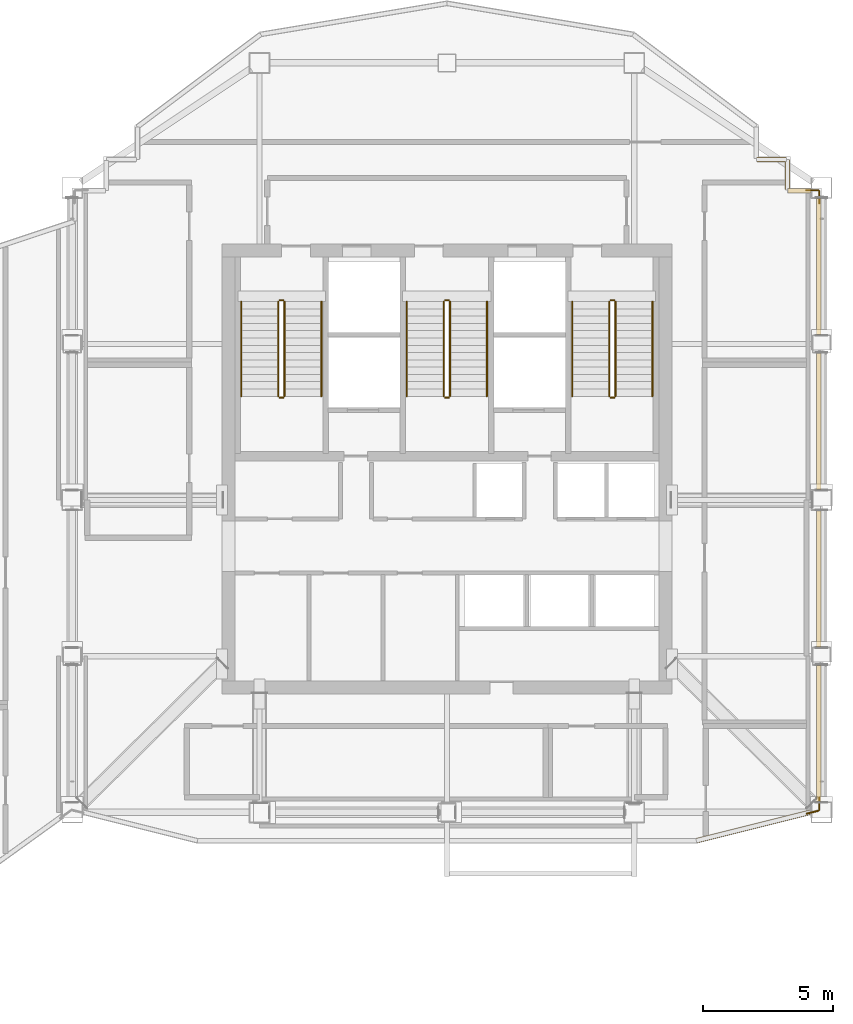
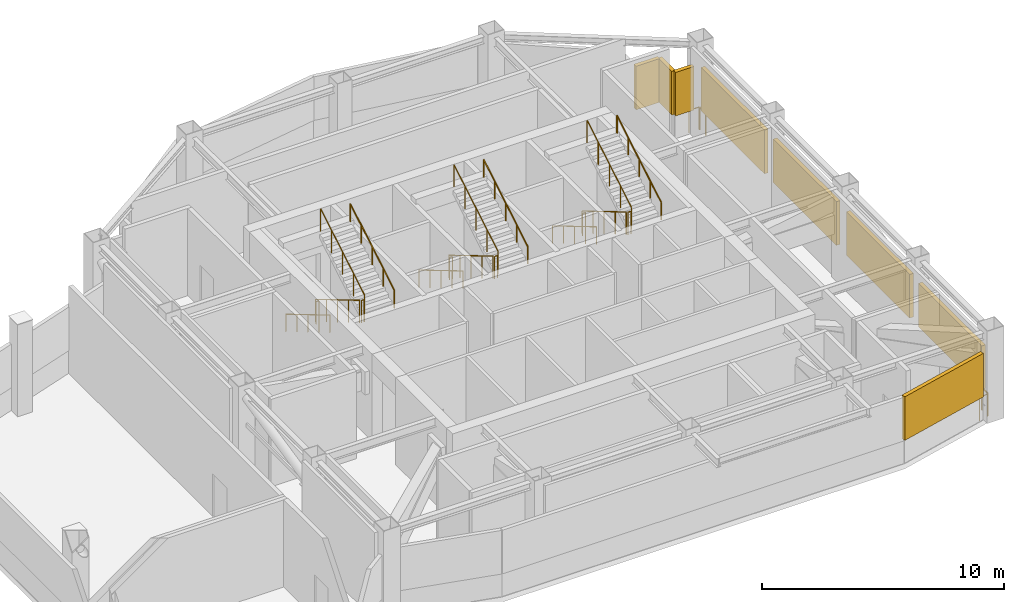
# One storey, part 14 of 15: 22 railings, 8 shading devices.
"""IFC4 building model written with IfcOpenShell, lengths in metres."""

from ifc_helpers import new_model, si_unit, direction, frame, origin, origin_2d, place, context, subcontext, project, spatial, rectangle, circle, extrude, material, type_object, element, save


model = new_model("IFC4")

# Units and contexts
model_context = context("Model", 3, precision=1e-05, world=origin(), true_north=direction((0.0, 1.0)))
body_context = subcontext(model_context, "Body", "Model", "MODEL_VIEW")
ifc_project = project(units=[si_unit("LENGTHUNIT", "METRE"), si_unit("AREAUNIT", "SQUARE_METRE"), si_unit("VOLUMEUNIT", "CUBIC_METRE"), si_unit("PLANEANGLEUNIT", "RADIAN"), si_unit("MASSUNIT", "GRAM", prefix="KILO")], contexts=[model_context])

# Site, building, storey
site_placement = place(None, origin())
site = spatial("IfcSite", under=ifc_project, at=site_placement, CompositionType="ELEMENT")
building_placement = place(site_placement, origin())
building = spatial("IfcBuilding", under=site, at=building_placement, Name="Haolan Belvedere Tower", CompositionType="ELEMENT")
storey_placement = place(building_placement, frame((0.0, 0.0, 277.550048828125)))
storey = spatial("IfcBuildingStorey", under=building, at=storey_placement, Name="L70", CompositionType="ELEMENT", Elevation=277.550048828125)

# Railings
ifc_material_1 = material(Name="Galvanised powder-coated steel guardrail", Category="steel")
railing_type_1 = type_object("IfcRailingType", Name="RL-REF-GRD-1150", PredefinedType="GUARDRAIL", material=ifc_material_1)
railing_1_placement = place(storey_placement, frame((52.7099609375, 22.17041015625, 0.0)))
element("IfcRailing", 1, at=railing_1_placement, inside=storey, type_object=railing_type_1, Name="L70 refuge corner safety guardrail 2A", PredefinedType="GUARDRAIL", context=body_context, shape_type="SweptSolid", body=[
    extrude(circle(Radius=0.02392578125, at=origin_2d()), frame((0.0, 0.0, 1.1259765625), z_axis=(0.0, -1.0, 0.0), x_axis=(1.0, 0.0, 0.0)), (0.0, 0.0, 1.0), 0.47021484375),
    extrude(circle(Radius=0.02099609375, at=origin_2d()), origin(), (0.0, 0.0, 1.0), 1.101806640625),
    extrude(circle(Radius=0.02099609375, at=origin_2d()), frame((0.0, -0.47021484375, 0.0)), (0.0, 0.0, 1.0), 1.101806640625),
])
railing_2_placement = place(storey_placement, frame((52.680908203125, 21.6630859375, 0.0)))
element("IfcRailing", 2, at=railing_2_placement, inside=storey, type_object=railing_type_1, Name="L70 refuge corner safety guardrail 2B", PredefinedType="GUARDRAIL", context=body_context, shape_type="SweptSolid", body=[
    extrude(circle(Radius=0.02392578125, at=origin_2d()), frame((0.0, 0.0, 1.1259765625), z_axis=(-0.970142500145, -0.242535625036, 0.0), x_axis=(0.242535625036, -0.970142500145, 0.0)), (0.0, 0.0, 1.0), 0.469970703125),
    extrude(circle(Radius=0.02099609375, at=origin_2d()), origin(), (0.0, 0.0, 1.0), 1.101806640625),
    extrude(circle(Radius=0.02099609375, at=origin_2d()), frame((-0.4560546875, -0.114013671875, 0.0)), (0.0, 0.0, 1.0), 1.101806640625),
])
railing_3_placement = place(storey_placement, frame((52.2099609375, 45.510009765625, 0.0)))
element("IfcRailing", 3, at=railing_3_placement, inside=storey, type_object=railing_type_1, Name="L70 refuge corner safety guardrail 3A", PredefinedType="GUARDRAIL", context=body_context, shape_type="SweptSolid", body=[
    extrude(circle(Radius=0.02392578125, at=origin_2d()), frame((0.0, 0.0, 1.1259765625), z_axis=(1.0, 0.0, 0.0), x_axis=(0.0, 1.0, 0.0)), (0.0, 0.0, 1.0), 0.469970703125),
    extrude(circle(Radius=0.02099609375, at=origin_2d()), origin(), (0.0, 0.0, 1.0), 1.101806640625),
    extrude(circle(Radius=0.02099609375, at=origin_2d()), frame((0.469970703125, 0.0, 0.0)), (0.0, 0.0, 1.0), 1.101806640625),
])
railing_4_placement = place(storey_placement, frame((52.7099609375, 45.47998046875, 0.0)))
element("IfcRailing", 4, at=railing_4_placement, inside=storey, type_object=railing_type_1, Name="L70 refuge corner safety guardrail 3B", PredefinedType="GUARDRAIL", context=body_context, shape_type="SweptSolid", body=[
    extrude(circle(Radius=0.02392578125, at=origin_2d()), frame((0.0, 0.0, 1.1259765625), z_axis=(0.0, -1.0, 0.0), x_axis=(1.0, 0.0, 0.0)), (0.0, 0.0, 1.0), 0.469970703125),
    extrude(circle(Radius=0.02099609375, at=origin_2d()), origin(), (0.0, 0.0, 1.0), 1.101806640625),
    extrude(circle(Radius=0.02099609375, at=origin_2d()), frame((0.0, -0.469970703125, 0.0)), (0.0, 0.0, 1.0), 1.101806640625),
])
ifc_material_2 = material(Name="Brushed stainless steel 304", Category="steel")
railing_type_2 = type_object("IfcRailingType", Name="RL-STAIR-GRD-1150", PredefinedType="GUARDRAIL", material=ifc_material_2)
railing_5_placement = place(storey_placement, frame((31.919921875, 41.22998046875, 0.166015625)))
element("IfcRailing", 5, at=railing_5_placement, inside=storey, type_object=railing_type_2, Name="L70 ST1 stair guard 1", PredefinedType="GUARDRAIL", context=body_context, shape_type="SweptSolid", body=[
    extrude(circle(Radius=0.02392578125, at=origin_2d()), frame((0.0, 0.0, 1.1259765625), z_axis=(0.0, -0.860088118128, 0.510145497928), x_axis=(1.0, 0.0, 0.0)), (0.0, 0.0, 1.0), 4.23193359375),
    extrude(circle(Radius=0.02099609375, at=origin_2d()), origin(), (0.0, 0.0, 1.0), 1.101806640625),
    extrude(circle(Radius=0.02099609375, at=origin_2d()), frame((0.0, -0.909912109375, 0.539794921875)), (0.0, 0.0, 1.0), 1.101806640625),
    extrude(circle(Radius=0.02099609375, at=origin_2d()), frame((0.0, -1.81982421875, 1.07958984375)), (0.0, 0.0, 1.0), 1.101806640625),
    extrude(circle(Radius=0.02099609375, at=origin_2d()), frame((0.0, -2.72998046875, 1.619140625)), (0.0, 0.0, 1.0), 1.101806640625),
    extrude(circle(Radius=0.02099609375, at=origin_2d()), frame((0.0, -3.639892578125, 2.158935546875)), (0.0, 0.0, 1.0), 1.101806640625),
])
railing_6_placement = place(storey_placement, frame((31.969970703125, 37.5400390625, 2.324951171875)))
element("IfcRailing", 6, at=railing_6_placement, inside=storey, type_object=railing_type_2, Name="L70 ST1 stair guard 2", PredefinedType="GUARDRAIL", context=body_context, shape_type="SweptSolid", body=[
    extrude(circle(Radius=0.02392578125, at=origin_2d()), frame((0.0, 0.0, 1.1259765625), z_axis=(1.0, 0.0, 0.0), x_axis=(0.0, 1.0, 0.0)), (0.0, 0.0, 1.0), 0.14013671875),
    extrude(circle(Radius=0.02099609375, at=origin_2d()), origin(), (0.0, 0.0, 1.0), 1.101806640625),
    extrude(circle(Radius=0.02099609375, at=origin_2d()), frame((0.14013671875, 0.0, 0.0)), (0.0, 0.0, 1.0), 1.101806640625),
])
railing_7_placement = place(storey_placement, frame((32.159912109375, 37.590087890625, 2.490966796875)))
element("IfcRailing", 7, at=railing_7_placement, inside=storey, type_object=railing_type_2, Name="L70 ST1 stair guard 3", PredefinedType="GUARDRAIL", context=body_context, shape_type="SweptSolid", body=[
    extrude(circle(Radius=0.02392578125, at=origin_2d()), frame((0.0, 0.0, 1.1259765625), z_axis=(0.0, 0.860088118128, 0.510145497928), x_axis=(-1.0, 0.0, 0.0)), (0.0, 0.0, 1.0), 4.23193359375),
    extrude(circle(Radius=0.02099609375, at=origin_2d()), origin(), (0.0, 0.0, 1.0), 1.101806640625),
    extrude(circle(Radius=0.02099609375, at=origin_2d()), frame((0.0, 0.909912109375, 0.539794921875)), (0.0, 0.0, 1.0), 1.101806640625),
    extrude(circle(Radius=0.02099609375, at=origin_2d()), frame((0.0, 1.81982421875, 1.07958984375)), (0.0, 0.0, 1.0), 1.101806640625),
    extrude(circle(Radius=0.02099609375, at=origin_2d()), frame((0.0, 2.72998046875, 1.619140625)), (0.0, 0.0, 1.0), 1.101806640625),
    extrude(circle(Radius=0.02099609375, at=origin_2d()), frame((0.0, 3.639892578125, 2.158935546875)), (0.0, 0.0, 1.0), 1.101806640625),
])
railing_8_placement = place(storey_placement, frame((31.969970703125, 41.280029296875, 0.0)))
element("IfcRailing", 8, at=railing_8_placement, inside=storey, type_object=railing_type_2, Name="L70 ST1 stair guard 4", PredefinedType="GUARDRAIL", context=body_context, shape_type="SweptSolid", body=[
    extrude(circle(Radius=0.02392578125, at=origin_2d()), frame((0.0, 0.0, 1.1259765625), z_axis=(1.0, 0.0, 0.0), x_axis=(0.0, 1.0, 0.0)), (0.0, 0.0, 1.0), 0.14013671875),
    extrude(circle(Radius=0.02099609375, at=origin_2d()), origin(), (0.0, 0.0, 1.0), 1.101806640625),
    extrude(circle(Radius=0.02099609375, at=origin_2d()), frame((0.14013671875, 0.0, 0.0)), (0.0, 0.0, 1.0), 1.101806640625),
])
railing_9_placement = place(storey_placement, frame((38.280029296875, 41.22998046875, 0.166015625)))
element("IfcRailing", 9, at=railing_9_placement, inside=storey, type_object=railing_type_2, Name="L70 ST3 stair guard 1", PredefinedType="GUARDRAIL", context=body_context, shape_type="SweptSolid", body=[
    extrude(circle(Radius=0.02392578125, at=origin_2d()), frame((0.0, 0.0, 1.1259765625), z_axis=(0.0, -0.860088118128, 0.510145497928), x_axis=(1.0, 0.0, 0.0)), (0.0, 0.0, 1.0), 4.23193359375),
    extrude(circle(Radius=0.02099609375, at=origin_2d()), origin(), (0.0, 0.0, 1.0), 1.101806640625),
    extrude(circle(Radius=0.02099609375, at=origin_2d()), frame((0.0, -0.909912109375, 0.539794921875)), (0.0, 0.0, 1.0), 1.101806640625),
    extrude(circle(Radius=0.02099609375, at=origin_2d()), frame((0.0, -1.81982421875, 1.07958984375)), (0.0, 0.0, 1.0), 1.101806640625),
    extrude(circle(Radius=0.02099609375, at=origin_2d()), frame((0.0, -2.72998046875, 1.619140625)), (0.0, 0.0, 1.0), 1.101806640625),
    extrude(circle(Radius=0.02099609375, at=origin_2d()), frame((0.0, -3.639892578125, 2.158935546875)), (0.0, 0.0, 1.0), 1.101806640625),
])
railing_10_placement = place(storey_placement, frame((38.330078125, 37.5400390625, 2.324951171875)))
element("IfcRailing", 10, at=railing_10_placement, inside=storey, type_object=railing_type_2, Name="L70 ST3 stair guard 2", PredefinedType="GUARDRAIL", context=body_context, shape_type="SweptSolid", body=[
    extrude(circle(Radius=0.02392578125, at=origin_2d()), frame((0.0, 0.0, 1.1259765625), z_axis=(1.0, 0.0, 0.0), x_axis=(0.0, 1.0, 0.0)), (0.0, 0.0, 1.0), 0.139892578125),
    extrude(circle(Radius=0.02099609375, at=origin_2d()), origin(), (0.0, 0.0, 1.0), 1.101806640625),
    extrude(circle(Radius=0.02099609375, at=origin_2d()), frame((0.139892578125, 0.0, 0.0)), (0.0, 0.0, 1.0), 1.101806640625),
])
railing_11_placement = place(storey_placement, frame((38.52001953125, 37.590087890625, 2.490966796875)))
element("IfcRailing", 11, at=railing_11_placement, inside=storey, type_object=railing_type_2, Name="L70 ST3 stair guard 3", PredefinedType="GUARDRAIL", context=body_context, shape_type="SweptSolid", body=[
    extrude(circle(Radius=0.02392578125, at=origin_2d()), frame((0.0, 0.0, 1.1259765625), z_axis=(0.0, 0.860088118128, 0.510145497928), x_axis=(-1.0, 0.0, 0.0)), (0.0, 0.0, 1.0), 4.23193359375),
    extrude(circle(Radius=0.02099609375, at=origin_2d()), origin(), (0.0, 0.0, 1.0), 1.101806640625),
    extrude(circle(Radius=0.02099609375, at=origin_2d()), frame((0.0, 0.909912109375, 0.539794921875)), (0.0, 0.0, 1.0), 1.101806640625),
    extrude(circle(Radius=0.02099609375, at=origin_2d()), frame((0.0, 1.81982421875, 1.07958984375)), (0.0, 0.0, 1.0), 1.101806640625),
    extrude(circle(Radius=0.02099609375, at=origin_2d()), frame((0.0, 2.72998046875, 1.619140625)), (0.0, 0.0, 1.0), 1.101806640625),
    extrude(circle(Radius=0.02099609375, at=origin_2d()), frame((0.0, 3.639892578125, 2.158935546875)), (0.0, 0.0, 1.0), 1.101806640625),
])
railing_12_placement = place(storey_placement, frame((38.330078125, 41.280029296875, 0.0)))
element("IfcRailing", 12, at=railing_12_placement, inside=storey, type_object=railing_type_2, Name="L70 ST3 stair guard 4", PredefinedType="GUARDRAIL", context=body_context, shape_type="SweptSolid", body=[
    extrude(circle(Radius=0.02392578125, at=origin_2d()), frame((0.0, 0.0, 1.1259765625), z_axis=(1.0, 0.0, 0.0), x_axis=(0.0, 1.0, 0.0)), (0.0, 0.0, 1.0), 0.139892578125),
    extrude(circle(Radius=0.02099609375, at=origin_2d()), origin(), (0.0, 0.0, 1.0), 1.101806640625),
    extrude(circle(Radius=0.02099609375, at=origin_2d()), frame((0.139892578125, 0.0, 0.0)), (0.0, 0.0, 1.0), 1.101806640625),
])
railing_13_placement = place(storey_placement, frame((44.639892578125, 41.22998046875, 0.166015625)))
element("IfcRailing", 13, at=railing_13_placement, inside=storey, type_object=railing_type_2, Name="L70 ST2 stair guard 1", PredefinedType="GUARDRAIL", context=body_context, shape_type="SweptSolid", body=[
    extrude(circle(Radius=0.02392578125, at=origin_2d()), frame((0.0, 0.0, 1.1259765625), z_axis=(0.0, -0.860088118128, 0.510145497928), x_axis=(1.0, 0.0, 0.0)), (0.0, 0.0, 1.0), 4.23193359375),
    extrude(circle(Radius=0.02099609375, at=origin_2d()), origin(), (0.0, 0.0, 1.0), 1.101806640625),
    extrude(circle(Radius=0.02099609375, at=origin_2d()), frame((0.0, -0.909912109375, 0.539794921875)), (0.0, 0.0, 1.0), 1.101806640625),
    extrude(circle(Radius=0.02099609375, at=origin_2d()), frame((0.0, -1.81982421875, 1.07958984375)), (0.0, 0.0, 1.0), 1.101806640625),
    extrude(circle(Radius=0.02099609375, at=origin_2d()), frame((0.0, -2.72998046875, 1.619140625)), (0.0, 0.0, 1.0), 1.101806640625),
    extrude(circle(Radius=0.02099609375, at=origin_2d()), frame((0.0, -3.639892578125, 2.158935546875)), (0.0, 0.0, 1.0), 1.101806640625),
])
railing_14_placement = place(storey_placement, frame((44.68994140625, 37.5400390625, 2.324951171875)))
element("IfcRailing", 14, at=railing_14_placement, inside=storey, type_object=railing_type_2, Name="L70 ST2 stair guard 2", PredefinedType="GUARDRAIL", context=body_context, shape_type="SweptSolid", body=[
    extrude(circle(Radius=0.02392578125, at=origin_2d()), frame((0.0, 0.0, 1.1259765625), z_axis=(1.0, 0.0, 0.0), x_axis=(0.0, 1.0, 0.0)), (0.0, 0.0, 1.0), 0.14013671875),
    extrude(circle(Radius=0.02099609375, at=origin_2d()), origin(), (0.0, 0.0, 1.0), 1.101806640625),
    extrude(circle(Radius=0.02099609375, at=origin_2d()), frame((0.14013671875, 0.0, 0.0)), (0.0, 0.0, 1.0), 1.101806640625),
])
railing_15_placement = place(storey_placement, frame((44.8798828125, 37.590087890625, 2.490966796875)))
element("IfcRailing", 15, at=railing_15_placement, inside=storey, type_object=railing_type_2, Name="L70 ST2 stair guard 3", PredefinedType="GUARDRAIL", context=body_context, shape_type="SweptSolid", body=[
    extrude(circle(Radius=0.02392578125, at=origin_2d()), frame((0.0, 0.0, 1.1259765625), z_axis=(0.0, 0.860088118128, 0.510145497928), x_axis=(-1.0, 0.0, 0.0)), (0.0, 0.0, 1.0), 4.23193359375),
    extrude(circle(Radius=0.02099609375, at=origin_2d()), origin(), (0.0, 0.0, 1.0), 1.101806640625),
    extrude(circle(Radius=0.02099609375, at=origin_2d()), frame((0.0, 0.909912109375, 0.539794921875)), (0.0, 0.0, 1.0), 1.101806640625),
    extrude(circle(Radius=0.02099609375, at=origin_2d()), frame((0.0, 1.81982421875, 1.07958984375)), (0.0, 0.0, 1.0), 1.101806640625),
    extrude(circle(Radius=0.02099609375, at=origin_2d()), frame((0.0, 2.72998046875, 1.619140625)), (0.0, 0.0, 1.0), 1.101806640625),
    extrude(circle(Radius=0.02099609375, at=origin_2d()), frame((0.0, 3.639892578125, 2.158935546875)), (0.0, 0.0, 1.0), 1.101806640625),
])
railing_16_placement = place(storey_placement, frame((44.68994140625, 41.280029296875, 0.0)))
element("IfcRailing", 16, at=railing_16_placement, inside=storey, type_object=railing_type_2, Name="L70 ST2 stair guard 4", PredefinedType="GUARDRAIL", context=body_context, shape_type="SweptSolid", body=[
    extrude(circle(Radius=0.02392578125, at=origin_2d()), frame((0.0, 0.0, 1.1259765625), z_axis=(1.0, 0.0, 0.0), x_axis=(0.0, 1.0, 0.0)), (0.0, 0.0, 1.0), 0.14013671875),
    extrude(circle(Radius=0.02099609375, at=origin_2d()), origin(), (0.0, 0.0, 1.0), 1.101806640625),
    extrude(circle(Radius=0.02099609375, at=origin_2d()), frame((0.14013671875, 0.0, 0.0)), (0.0, 0.0, 1.0), 1.101806640625),
])
railing_type_3 = type_object("IfcRailingType", Name="RL-STAIR-HND-900", PredefinedType="HANDRAIL", material=ifc_material_2)
railing_17_placement = place(storey_placement, frame((30.5, 41.22998046875, 0.166015625)))
element("IfcRailing", 17, at=railing_17_placement, inside=storey, type_object=railing_type_3, Name="L70 ST1 stair handrail 1", PredefinedType="HANDRAIL", context=body_context, shape_type="SweptSolid", body=[
    extrude(circle(Radius=0.02392578125, at=origin_2d()), frame((0.0, 0.0, 0.8759765625), z_axis=(0.0, -0.860088118128, 0.510145497928), x_axis=(1.0, 0.0, 0.0)), (0.0, 0.0, 1.0), 4.23193359375),
    extrude(circle(Radius=0.02099609375, at=origin_2d()), origin(), (0.0, 0.0, 1.0), 0.851806640625),
    extrude(circle(Radius=0.02099609375, at=origin_2d()), frame((0.0, -0.909912109375, 0.539794921875)), (0.0, 0.0, 1.0), 0.851806640625),
    extrude(circle(Radius=0.02099609375, at=origin_2d()), frame((0.0, -1.81982421875, 1.07958984375)), (0.0, 0.0, 1.0), 0.851806640625),
    extrude(circle(Radius=0.02099609375, at=origin_2d()), frame((0.0, -2.72998046875, 1.619140625)), (0.0, 0.0, 1.0), 0.851806640625),
    extrude(circle(Radius=0.02099609375, at=origin_2d()), frame((0.0, -3.639892578125, 2.158935546875)), (0.0, 0.0, 1.0), 0.851806640625),
])
railing_18_placement = place(storey_placement, frame((33.580078125, 37.590087890625, 2.490966796875)))
element("IfcRailing", 18, at=railing_18_placement, inside=storey, type_object=railing_type_3, Name="L70 ST1 stair handrail 2", PredefinedType="HANDRAIL", context=body_context, shape_type="SweptSolid", body=[
    extrude(circle(Radius=0.02392578125, at=origin_2d()), frame((0.0, 0.0, 0.8759765625), z_axis=(0.0, 0.860088118128, 0.510145497928), x_axis=(-1.0, 0.0, 0.0)), (0.0, 0.0, 1.0), 4.23193359375),
    extrude(circle(Radius=0.02099609375, at=origin_2d()), origin(), (0.0, 0.0, 1.0), 0.851806640625),
    extrude(circle(Radius=0.02099609375, at=origin_2d()), frame((0.0, 0.909912109375, 0.539794921875)), (0.0, 0.0, 1.0), 0.851806640625),
    extrude(circle(Radius=0.02099609375, at=origin_2d()), frame((0.0, 1.81982421875, 1.07958984375)), (0.0, 0.0, 1.0), 0.851806640625),
    extrude(circle(Radius=0.02099609375, at=origin_2d()), frame((0.0, 2.72998046875, 1.619140625)), (0.0, 0.0, 1.0), 0.851806640625),
    extrude(circle(Radius=0.02099609375, at=origin_2d()), frame((0.0, 3.639892578125, 2.158935546875)), (0.0, 0.0, 1.0), 0.851806640625),
])
railing_19_placement = place(storey_placement, frame((36.860107421875, 41.22998046875, 0.166015625)))
element("IfcRailing", 19, at=railing_19_placement, inside=storey, type_object=railing_type_3, Name="L70 ST3 stair handrail 1", PredefinedType="HANDRAIL", context=body_context, shape_type="SweptSolid", body=[
    extrude(circle(Radius=0.02392578125, at=origin_2d()), frame((0.0, 0.0, 0.8759765625), z_axis=(0.0, -0.860088118128, 0.510145497928), x_axis=(1.0, 0.0, 0.0)), (0.0, 0.0, 1.0), 4.23193359375),
    extrude(circle(Radius=0.02099609375, at=origin_2d()), origin(), (0.0, 0.0, 1.0), 0.851806640625),
    extrude(circle(Radius=0.02099609375, at=origin_2d()), frame((0.0, -0.909912109375, 0.539794921875)), (0.0, 0.0, 1.0), 0.851806640625),
    extrude(circle(Radius=0.02099609375, at=origin_2d()), frame((0.0, -1.81982421875, 1.07958984375)), (0.0, 0.0, 1.0), 0.851806640625),
    extrude(circle(Radius=0.02099609375, at=origin_2d()), frame((0.0, -2.72998046875, 1.619140625)), (0.0, 0.0, 1.0), 0.851806640625),
    extrude(circle(Radius=0.02099609375, at=origin_2d()), frame((0.0, -3.639892578125, 2.158935546875)), (0.0, 0.0, 1.0), 0.851806640625),
])
railing_20_placement = place(storey_placement, frame((39.93994140625, 37.590087890625, 2.490966796875)))
element("IfcRailing", 20, at=railing_20_placement, inside=storey, type_object=railing_type_3, Name="L70 ST3 stair handrail 2", PredefinedType="HANDRAIL", context=body_context, shape_type="SweptSolid", body=[
    extrude(circle(Radius=0.02392578125, at=origin_2d()), frame((0.0, 0.0, 0.8759765625), z_axis=(0.0, 0.860088118128, 0.510145497928), x_axis=(-1.0, 0.0, 0.0)), (0.0, 0.0, 1.0), 4.23193359375),
    extrude(circle(Radius=0.02099609375, at=origin_2d()), origin(), (0.0, 0.0, 1.0), 0.851806640625),
    extrude(circle(Radius=0.02099609375, at=origin_2d()), frame((0.0, 0.909912109375, 0.539794921875)), (0.0, 0.0, 1.0), 0.851806640625),
    extrude(circle(Radius=0.02099609375, at=origin_2d()), frame((0.0, 1.81982421875, 1.07958984375)), (0.0, 0.0, 1.0), 0.851806640625),
    extrude(circle(Radius=0.02099609375, at=origin_2d()), frame((0.0, 2.72998046875, 1.619140625)), (0.0, 0.0, 1.0), 0.851806640625),
    extrude(circle(Radius=0.02099609375, at=origin_2d()), frame((0.0, 3.639892578125, 2.158935546875)), (0.0, 0.0, 1.0), 0.851806640625),
])
railing_21_placement = place(storey_placement, frame((43.219970703125, 41.22998046875, 0.166015625)))
element("IfcRailing", 21, at=railing_21_placement, inside=storey, type_object=railing_type_3, Name="L70 ST2 stair handrail 1", PredefinedType="HANDRAIL", context=body_context, shape_type="SweptSolid", body=[
    extrude(circle(Radius=0.02392578125, at=origin_2d()), frame((0.0, 0.0, 0.8759765625), z_axis=(0.0, -0.860088118128, 0.510145497928), x_axis=(1.0, 0.0, 0.0)), (0.0, 0.0, 1.0), 4.23193359375),
    extrude(circle(Radius=0.02099609375, at=origin_2d()), origin(), (0.0, 0.0, 1.0), 0.851806640625),
    extrude(circle(Radius=0.02099609375, at=origin_2d()), frame((0.0, -0.909912109375, 0.539794921875)), (0.0, 0.0, 1.0), 0.851806640625),
    extrude(circle(Radius=0.02099609375, at=origin_2d()), frame((0.0, -1.81982421875, 1.07958984375)), (0.0, 0.0, 1.0), 0.851806640625),
    extrude(circle(Radius=0.02099609375, at=origin_2d()), frame((0.0, -2.72998046875, 1.619140625)), (0.0, 0.0, 1.0), 0.851806640625),
    extrude(circle(Radius=0.02099609375, at=origin_2d()), frame((0.0, -3.639892578125, 2.158935546875)), (0.0, 0.0, 1.0), 0.851806640625),
])
railing_22_placement = place(storey_placement, frame((46.300048828125, 37.590087890625, 2.490966796875)))
element("IfcRailing", 22, at=railing_22_placement, inside=storey, type_object=railing_type_3, Name="L70 ST2 stair handrail 2", PredefinedType="HANDRAIL", context=body_context, shape_type="SweptSolid", body=[
    extrude(circle(Radius=0.02392578125, at=origin_2d()), frame((0.0, 0.0, 0.8759765625), z_axis=(0.0, 0.860088118128, 0.510145497928), x_axis=(-1.0, 0.0, 0.0)), (0.0, 0.0, 1.0), 4.23193359375),
    extrude(circle(Radius=0.02099609375, at=origin_2d()), origin(), (0.0, 0.0, 1.0), 0.851806640625),
    extrude(circle(Radius=0.02099609375, at=origin_2d()), frame((0.0, 0.909912109375, 0.539794921875)), (0.0, 0.0, 1.0), 0.851806640625),
    extrude(circle(Radius=0.02099609375, at=origin_2d()), frame((0.0, 1.81982421875, 1.07958984375)), (0.0, 0.0, 1.0), 0.851806640625),
    extrude(circle(Radius=0.02099609375, at=origin_2d()), frame((0.0, 2.72998046875, 1.619140625)), (0.0, 0.0, 1.0), 0.851806640625),
    extrude(circle(Radius=0.02099609375, at=origin_2d()), frame((0.0, 3.639892578125, 2.158935546875)), (0.0, 0.0, 1.0), 0.851806640625),
])

# Shading devices
ifc_material_3 = material(Name="Anodised champagne-silver aluminium 6063-T6", Category="aluminium")
shading_device_type = type_object("IfcShadingDeviceType", Name="SHD-LOUV-180", PredefinedType="JALOUSIE", material=ifc_material_3)
shading_device_1_placement = place(storey_placement, frame((50.197265625, 21.062744140625, 1.14990234375), z_axis=(0.0, 0.0, 1.0), x_axis=(0.970139297626, 0.242548434753, 0.0)))
element("IfcShadingDevice", 23, at=shading_device_1_placement, inside=storey, type_object=shading_device_type, Name="L70 refuge storm-proof louvre bank 2.1", PredefinedType="JALOUSIE", context=body_context, shape_type="SweptSolid", body=[
    extrude(rectangle(XDim=4.517578125, YDim=0.179931640625, at=origin_2d()), origin(), (0.0, 0.0, 1.0), 2.199951171875),
])
for number, where, z_axis, x_axis, name in (
    (24, (52.68994140625, 24.625, 1.14990234375), (0.0, 0.0, 1.0), (0.0, 1.0, 0.0), "L70 refuge storm-proof louvre bank 3.1"),
    (25, (52.68994140625, 30.574951171875, 1.14990234375), (0.0, 0.0, 1.0), (0.0, 1.0, 0.0), "L70 refuge storm-proof louvre bank 3.2"),
    (26, (52.68994140625, 36.625, 1.14990234375), (0.0, 0.0, 1.0), (0.0, 1.0, 0.0), "L70 refuge storm-proof louvre bank 3.3"),
    (27, (52.68994140625, 42.574951171875, 1.14990234375), (0.0, 0.0, 1.0), (0.0, 1.0, 0.0), "L70 refuge storm-proof louvre bank 3.4"),
):
    element("IfcShadingDevice", number, at=place(storey_placement, frame(where, z_axis=z_axis, x_axis=x_axis)), inside=storey, type_object=shading_device_type, Name=name, PredefinedType="JALOUSIE", context=body_context, shape_type="SweptSolid", body=[
        extrude(rectangle(XDim=5.22607421875, YDim=0.179931640625, at=origin_2d()), origin(), (0.0, 0.0, 1.0), 2.199951171875),
    ])
shading_device_2_placement = place(storey_placement, frame((51.948974609375, 45.489990234375, 1.14990234375), z_axis=(0.0, 0.0, 1.0), x_axis=(-1.0, 0.0, 0.0)))
element("IfcShadingDevice", 28, at=shading_device_2_placement, inside=storey, type_object=shading_device_type, Name="L70 refuge storm-proof louvre bank 4.1", PredefinedType="JALOUSIE", context=body_context, shape_type="SweptSolid", body=[
    extrude(rectangle(XDim=0.8779296875, YDim=0.179931640625, at=origin_2d()), origin(), (0.0, 0.0, 1.0), 2.199951171875),
])
for number, where, z_axis, x_axis, name in (
    (29, (51.489990234375, 46.10498046875, 1.14990234375), (0.0, 0.0, 1.0), (0.0, 1.0, 0.0), "L70 refuge storm-proof louvre bank 5.1"),
    (30, (50.875, 46.68994140625, 1.14990234375), (0.0, 0.0, 1.0), (-1.0, 0.0, 0.0), "L70 refuge storm-proof louvre bank 6.1"),
):
    element("IfcShadingDevice", number, at=place(storey_placement, frame(where, z_axis=z_axis, x_axis=x_axis)), inside=storey, type_object=shading_device_type, Name=name, PredefinedType="JALOUSIE", context=body_context, shape_type="SweptSolid", body=[
        extrude(rectangle(XDim=1.1298828125, YDim=0.179931640625, at=origin_2d()), origin(), (0.0, 0.0, 1.0), 2.199951171875),
    ])

save(model, "model.ifc")
